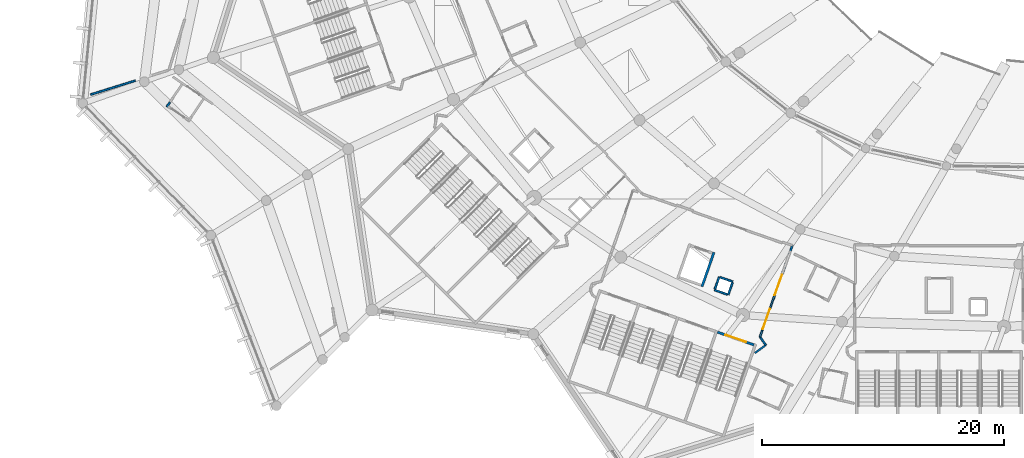
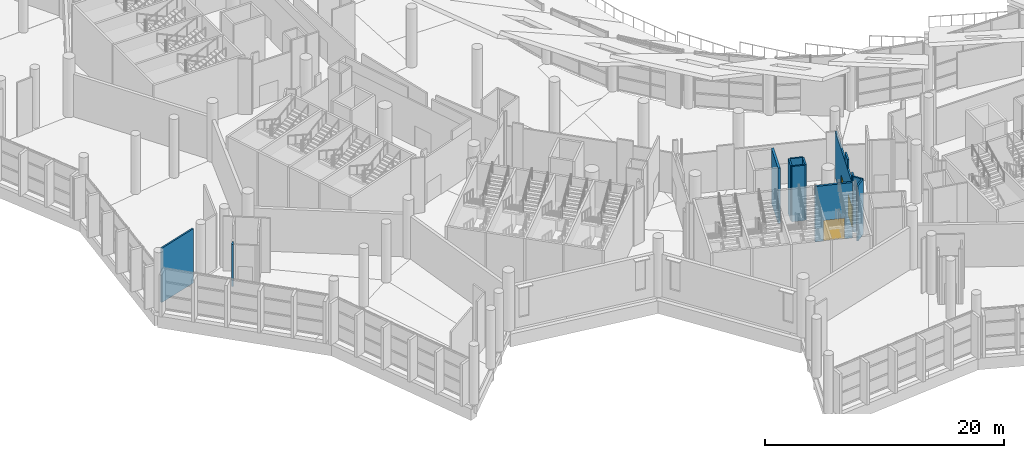
# One storey, part 137 of 249: 13 walls, 3 doors, 3 openings.
"""IFC4 building model written with IfcOpenShell, lengths in metres."""

from ifc_helpers import new_model, si_unit, direction, frame, frame_2d, origin, place, context, subcontext, project, spatial, rectangle, extrude, material, layer, layer_set, type_object, element, fill, save


model = new_model("IFC4")

# Units and contexts
model_context = context("Model", 3, precision=1e-05, world=origin(), true_north=direction((0.0, 1.0)))
body_context = subcontext(model_context, "Body", "Model", "MODEL_VIEW")
ifc_project = project(units=[si_unit("LENGTHUNIT", "METRE"), si_unit("AREAUNIT", "SQUARE_METRE"), si_unit("VOLUMEUNIT", "CUBIC_METRE"), si_unit("PLANEANGLEUNIT", "RADIAN"), si_unit("MASSUNIT", "GRAM", prefix="KILO")], contexts=[model_context])

# Site, building, storey
site_placement = place(None, origin())
site = spatial("IfcSite", under=ifc_project, at=site_placement, CompositionType="ELEMENT")
building_placement = place(site_placement, origin())
building = spatial("IfcBuilding", under=site, at=building_placement, Name="Meseta Stadium", CompositionType="ELEMENT")
storey_placement = place(building_placement, frame((0.0, 0.0, 12.0)))
storey = spatial("IfcBuildingStorey", under=building, at=storey_placement, Name="L02", CompositionType="ELEMENT", Elevation=12.0)

# Wall, opening, door
ifc_material_1 = material(Name="Concrete C40/50", Category="concrete")
ifc_layer_1 = layer(ifc_material_1, 0.199951171875)
ifc_layer_set_1 = layer_set([ifc_layer_1], Name="Core shaft wall 200")
wall_type_1 = type_object("IfcWallType", Name="Core shaft wall 200", PredefinedType="SHEAR", material=ifc_layer_set_1)
wall_1_placement = place(storey_placement, frame((-56.63427734375, -90.98779296875, 0.0), z_axis=(0.0, 0.0, 1.0), x_axis=(0.943886898693, -0.330268863922, 0.0)))
wall_1 = element("IfcWall", 1, at=wall_1_placement, inside=storey, type_object=wall_type_1, Name="Core 22 L02 stair B2 inner end wall", PredefinedType="SHEAR", context=body_context, shape_type="SweptSolid", body=[
    extrude(rectangle(XDim=3.2001953125, YDim=0.199951171875, at=frame_2d((1.60009765625, 0.0))), origin(), (0.0, 0.0, 1.0), 5.64990234375),
])
opening_1_placement = place(wall_1_placement, frame((0.699951171875, 0.0, 0.0)))
opening_1 = element("IfcOpeningElement", 2, at=opening_1_placement, cuts=wall_1, Name="Opening D1077", PredefinedType="OPENING", context=body_context, shape_type="SweptSolid", body=[
    extrude(rectangle(XDim=1.800048828125, YDim=2.10009765625, at=frame_2d((0.89990234375, 1.050048828125))), frame((0.0, 0.10986328125, 0.0), z_axis=(0.0, -1.0, 0.0), x_axis=(1.0, 0.0, 0.0)), (0.0, 0.0, 1.0), 0.219970703125),
])
ifc_material_2 = material(Name="Steel", Category="steel")
door_type_1 = type_object("IfcDoorType", Name="Stair door 1800x2100", OperationType="DOUBLE_DOOR_SINGLE_SWING", PredefinedType="DOOR", material=ifc_material_2)
door_1_placement = place(opening_1_placement, origin())
door_1 = element("IfcDoor", 3, at=door_1_placement, inside=storey, type_object=door_type_1, Name="Stair B2 door 22 L02", OperationType="DOUBLE_DOOR_SINGLE_SWING", OverallHeight=2.10009765625, OverallWidth=1.800048828125, PredefinedType="DOOR", context=body_context, shape_type="SweptSolid", body=[
    extrude(rectangle(XDim=1.800048828125, YDim=2.10009765625, at=frame_2d((0.89990234375, 1.050048828125))), frame((0.0, 0.02490234375, 0.0), z_axis=(0.0, -1.0, 0.0), x_axis=(1.0, 0.0, 0.0)), (0.0, 0.0, 1.0), 0.050048828125),
])
fill(opening_1, door_1)

# Walls
wall_2_placement = place(storey_placement, frame((-57.9140625, -87.227294921875, 0.0), z_axis=(0.0, 0.0, 1.0), x_axis=(0.330328674497, 0.943865968666, 0.0)))
element("IfcWall", 4, at=wall_2_placement, inside=storey, type_object=wall_type_1, Name="Core 22 L02 lift shaft wall right", PredefinedType="SHEAR", context=body_context, shape_type="SweptSolid", body=[
    extrude(rectangle(XDim=3.0, YDim=0.199951171875, at=frame_2d((1.5, 0.0))), origin(), (0.0, 0.0, 1.0), 5.64990234375),
])
ifc_material_3 = material(Name="Masonry blockwork", Category="masonry")
ifc_layer_2 = layer(ifc_material_3, 0.14990234375)
ifc_layer_set_2 = layer_set([ifc_layer_2], Name="Partition 150")
wall_type_2 = type_object("IfcWallType", Name="Partition 150", PredefinedType="PARTITIONING", material=ifc_layer_set_2)
wall_3_placement = place(storey_placement, frame((-104.73828125, -70.2021484375, 0.0), z_axis=(0.0, 0.0, 1.0), x_axis=(-0.954198313531, -0.299174829247, 0.0)))
element("IfcWall", 5, at=wall_3_placement, inside=storey, type_object=wall_type_2, Name="Partition L02 L02-ring18-0", PredefinedType="PARTITIONING", context=body_context, shape_type="SweptSolid", body=[
    extrude(rectangle(XDim=3.876953125, YDim=0.14990234375, at=frame_2d((1.9384765625, 0.0))), origin(), (0.0, 0.0, 1.0), 5.550048828125),
])
wall_4_placement = place(storey_placement, frame((-56.87451171875, -87.51171875, 0.0), z_axis=(0.0, 0.0, 1.0), x_axis=(0.943868506598, -0.330321422636, 0.0)))
element("IfcWall", 6, at=wall_4_placement, inside=storey, type_object=wall_type_2, Name="Pressurisation shaft wall L02 core 22", PredefinedType="PARTITIONING", context=body_context, shape_type="SweptSolid", body=[
    extrude(rectangle(XDim=1.125, YDim=0.14990234375, at=frame_2d((0.5625, 0.0))), origin(), (0.0, 0.0, 1.0), 5.64990234375),
])
wall_5_placement = place(storey_placement, frame((-55.741943359375, -87.907958984375, 0.0), z_axis=(0.0, 0.0, 1.0), x_axis=(0.330229022821, 0.94390083827, 0.0)))
element("IfcWall", 7, at=wall_5_placement, inside=storey, type_object=wall_type_2, Name="Pressurisation shaft wall L02 core 22", PredefinedType="PARTITIONING", context=body_context, shape_type="SweptSolid", body=[
    extrude(rectangle(XDim=1.074951171875, YDim=0.14990234375, at=frame_2d((0.53759765625, 0.0))), origin(), (0.0, 0.0, 1.0), 5.64990234375),
])
wall_6_placement = place(storey_placement, frame((-55.362060546875, -86.822509765625, 0.0), z_axis=(0.0, 0.0, 1.0), x_axis=(-0.94389218008, 0.330253769674, 0.0)))
element("IfcWall", 8, at=wall_6_placement, inside=storey, type_object=wall_type_2, Name="Pressurisation shaft wall L02 core 22", PredefinedType="PARTITIONING", context=body_context, shape_type="SweptSolid", body=[
    extrude(rectangle(XDim=1.125244140625, YDim=0.14990234375, at=frame_2d((0.5625, 0.0))), origin(), (0.0, 0.0, 1.0), 5.64990234375),
])
wall_7_placement = place(storey_placement, frame((-56.49462890625, -86.42626953125, 0.0), z_axis=(0.0, 0.0, 1.0), x_axis=(-0.330431350225, -0.943830028548, 0.0)))
element("IfcWall", 9, at=wall_7_placement, inside=storey, type_object=wall_type_2, Name="Pressurisation shaft wall L02 core 22", PredefinedType="PARTITIONING", context=body_context, shape_type="SweptSolid", body=[
    extrude(rectangle(XDim=1.074951171875, YDim=0.14990234375, at=frame_2d((0.53759765625, 0.0))), origin(), (0.0, 0.0, 1.0), 5.64990234375),
])
wall_8_placement = place(storey_placement, frame((-53.544921875, -92.725341796875, 0.0), z_axis=(0.0, 0.0, 1.0), x_axis=(0.803518845317, 0.595279316977, 0.0)))
element("IfcWall", 10, at=wall_8_placement, inside=storey, type_object=wall_type_2, Name="Stair vestibule wall L02 core 22", PredefinedType="PARTITIONING", context=body_context, shape_type="SweptSolid", body=[
    extrude(rectangle(XDim=1.1279296875, YDim=0.14990234375, at=frame_2d((0.56396484375, 0.0))), origin(), (0.0, 0.0, 1.0), 5.64990234375),
])
wall_9_placement = place(storey_placement, frame((-52.638671875, -92.053955078125, 0.0), z_axis=(0.0, 0.0, 1.0), x_axis=(-0.58171150375, 0.813395184646, 0.0)))
element("IfcWall", 11, at=wall_9_placement, inside=storey, type_object=wall_type_2, Name="Stair vestibule wall L02 core 22", PredefinedType="PARTITIONING", context=body_context, shape_type="SweptSolid", body=[
    extrude(rectangle(XDim=0.829345703125, YDim=0.14990234375, at=frame_2d((0.41455078125, 0.0))), origin(), (0.0, 0.0, 1.0), 5.64990234375),
])

# Wall, openings, doors
wall_10_placement = place(storey_placement, frame((-53.12109375, -91.37939453125, 0.0), z_axis=(0.0, 0.0, 1.0), x_axis=(0.333800317621, 0.942643807573, 0.0)))
wall_10 = element("IfcWall", 12, at=wall_10_placement, inside=storey, type_object=wall_type_2, Name="Stair vestibule wall L02 core 22", PredefinedType="PARTITIONING", context=body_context, shape_type="SweptSolid", body=[
    extrude(rectangle(XDim=8.010986328125, YDim=0.14990234375, at=frame_2d((4.00537109375, 0.0))), origin(), (0.0, 0.0, 1.0), 4.75),
])
opening_2_placement = place(wall_10_placement, frame((3.64990234375, 0.0, 0.0)))
opening_2 = element("IfcOpeningElement", 13, at=opening_2_placement, cuts=wall_10, Name="Opening D1084", PredefinedType="OPENING", context=body_context, shape_type="SweptSolid", body=[
    extrude(rectangle(XDim=1.800048828125, YDim=2.10009765625, at=frame_2d((0.89990234375, 1.050048828125))), frame((0.0, 0.0849609375, 0.0), z_axis=(0.0, -1.0, 0.0), x_axis=(1.0, 0.0, 0.0)), (0.0, 0.0, 1.0), 0.169921875),
])
opening_3_placement = place(wall_10_placement, frame((0.64990234375, 0.0, 0.0)))
opening_3 = element("IfcOpeningElement", 14, at=opening_3_placement, cuts=wall_10, Name="Opening D1081", PredefinedType="OPENING", context=body_context, shape_type="SweptSolid", body=[
    extrude(rectangle(XDim=1.800048828125, YDim=2.10009765625, at=frame_2d((0.89990234375, 1.050048828125))), frame((0.0, 0.0849609375, 0.0), z_axis=(0.0, -1.0, 0.0), x_axis=(1.0, 0.0, 0.0)), (0.0, 0.0, 1.0), 0.169921875),
])
ifc_material_4 = material(Name="Steel", Category="steel")
door_type_2 = type_object("IfcDoorType", Name="Fire double door 1800x2100 EI2 60", OperationType="DOUBLE_DOOR_SINGLE_SWING", PredefinedType="DOOR", material=ifc_material_4)
door_2_placement = place(opening_2_placement, origin())
door_2 = element("IfcDoor", 15, at=door_2_placement, inside=storey, type_object=door_type_2, Name="Stair vestibule door L02 core 22", OperationType="DOUBLE_DOOR_SINGLE_SWING", OverallHeight=2.10009765625, OverallWidth=1.800048828125, PredefinedType="DOOR", context=body_context, shape_type="SweptSolid", body=[
    extrude(rectangle(XDim=1.800048828125, YDim=2.10009765625, at=frame_2d((0.89990234375, 1.050048828125))), frame((0.0, 0.02490234375, 0.0), z_axis=(0.0, -1.0, 0.0), x_axis=(1.0, 0.0, 0.0)), (0.0, 0.0, 1.0), 0.050048828125),
])
fill(opening_2, door_2)
door_3_placement = place(opening_3_placement, origin())
door_3 = element("IfcDoor", 16, at=door_3_placement, inside=storey, type_object=door_type_2, Name="Stair vestibule door L02 core 22", OperationType="DOUBLE_DOOR_SINGLE_SWING", OverallHeight=2.10009765625, OverallWidth=1.800048828125, PredefinedType="DOOR", context=body_context, shape_type="SweptSolid", body=[
    extrude(rectangle(XDim=1.800048828125, YDim=2.10009765625, at=frame_2d((0.89990234375, 1.050048828125))), frame((0.0, 0.02490234375, 0.0), z_axis=(0.0, -1.0, 0.0), x_axis=(1.0, 0.0, 0.0)), (0.0, 0.0, 1.0), 0.050048828125),
])
fill(opening_3, door_3)

# Walls
wall_11_placement = place(storey_placement, frame((-53.12109375, -91.37939453125, 4.75), z_axis=(0.0, 0.0, 1.0), x_axis=(0.333756726613, 0.942659242484, 0.0)))
element("IfcWall", 17, at=wall_11_placement, inside=storey, type_object=wall_type_2, Name="Stair vestibule wall L02 core 22", PredefinedType="PARTITIONING", context=body_context, shape_type="SweptSolid", body=[
    extrude(rectangle(XDim=0.599853515625, YDim=0.14990234375, at=frame_2d((0.2998046875, 0.0))), origin(), (0.0, 0.0, 1.0), 0.89990234375),
])
wall_12_placement = place(storey_placement, frame((-52.28662109375, -89.02294921875, 4.75), z_axis=(0.0, 0.0, 1.0), x_axis=(0.333818381408, 0.942637410797, 0.0)))
element("IfcWall", 18, at=wall_12_placement, inside=storey, type_object=wall_type_2, Name="Stair vestibule wall L02 core 22", PredefinedType="PARTITIONING", context=body_context, shape_type="SweptSolid", body=[
    extrude(rectangle(XDim=1.099853515625, YDim=0.14990234375, at=frame_2d((0.5498046875, 0.0))), origin(), (0.0, 0.0, 1.0), 0.89990234375),
])
wall_13_placement = place(storey_placement, frame((-101.885498046875, -71.99169921875, 0.0), z_axis=(0.0, 0.0, 1.0), x_axis=(-0.561567757892, -0.827430754382, 0.0)))
element("IfcWall", 19, at=wall_13_placement, inside=storey, type_object=wall_type_2, Name="Partition L02 L02-ring19-0 vestibule", PredefinedType="PARTITIONING", context=body_context, shape_type="SweptSolid", body=[
    extrude(rectangle(XDim=0.449951171875, YDim=0.14990234375, at=frame_2d((0.22509765625, 0.0))), origin(), (0.0, 0.0, 1.0), 4.300048828125),
])

save(model, "model.ifc")
